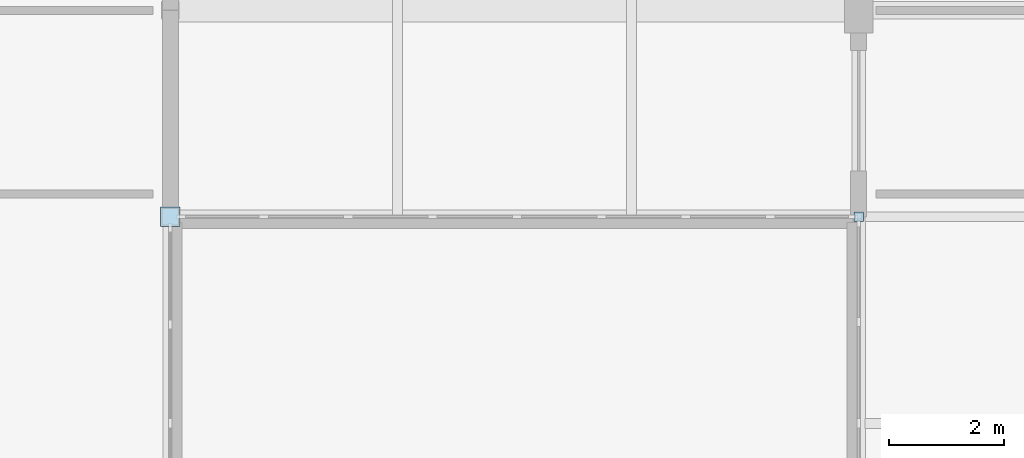
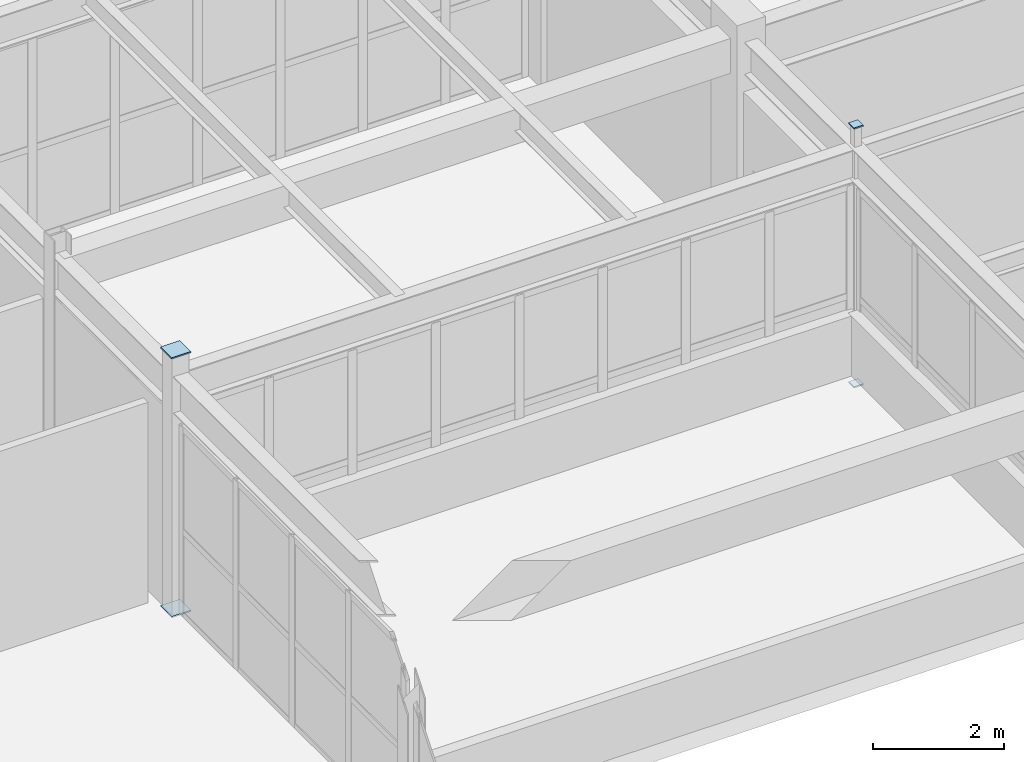
# One storey, part 179 of 226: 4 plates.
"""IFC4 building model written with IfcOpenShell, lengths in metres."""

from ifc_helpers import new_model, si_unit, direction, frame, origin, origin_2d, place, context, subcontext, project, spatial, rectangle, extrude, material, layer, layer_set, type_object, element, save


model = new_model("IFC4")

# Units and contexts
model_context = context("Model", 3, precision=1e-05, world=origin(), true_north=direction((0.0, 1.0)))
body_context = subcontext(model_context, "Body", "Model", "MODEL_VIEW")
ifc_project = project(units=[si_unit("LENGTHUNIT", "METRE"), si_unit("AREAUNIT", "SQUARE_METRE"), si_unit("VOLUMEUNIT", "CUBIC_METRE"), si_unit("PLANEANGLEUNIT", "RADIAN"), si_unit("MASSUNIT", "GRAM", prefix="KILO")], contexts=[model_context])

# Site, building, storey
site_placement = place(None, origin())
site = spatial("IfcSite", under=ifc_project, at=site_placement, CompositionType="ELEMENT")
building_placement = place(site_placement, origin())
building = spatial("IfcBuilding", under=site, at=building_placement, Name="Tarnwether General Hospital", CompositionType="ELEMENT")
storey_placement = place(building_placement, frame((0.0, 0.0, 4.800048828125)))
storey = spatial("IfcBuildingStorey", under=building, at=storey_placement, Name="L01", CompositionType="ELEMENT", Elevation=4.800048828125)

# Plates
ifc_material = material(Name="Steel Grade 350 (350 MPa)", Category="steel")
ifc_layer = layer(ifc_material, 0.02490234375)
ifc_layer_set = layer_set([ifc_layer], Name="Steel Grade 350 (350 MPa)")
plate_type = type_object("IfcPlateType", Name="PT-GUS2", PredefinedType="USERDEFINED", material=ifc_layer_set)
for number, where, z_axis, x_axis, name in (
    (1, (132.0, 18.0, -0.02490234375), (0.0, 0.0, 1.0), (1.0, 0.0, 0.0), "Hollow Section Welded End Cap Plate 0751"),
    (2, (132.0, 18.0, 4.800048828125), (0.0, 0.0, 1.0), (1.0, 0.0, 0.0), "Hollow Section Welded End Cap Plate 0752"),
):
    element("IfcPlate", number, at=place(storey_placement, frame(where, z_axis=z_axis, x_axis=x_axis)), inside=storey, type_object=plate_type, Name=name, ObjectType="GUSSET", PredefinedType="USERDEFINED", context=body_context, shape_type="SweptSolid", body=[
        extrude(rectangle(XDim=0.340087890625, YDim=0.340087890625, at=origin_2d()), origin(), (0.0, 0.0, 1.0), 0.02490234375),
    ])
for number, where, z_axis, x_axis, name in (
    (3, (144.0, 18.0, -0.02490234375), (0.0, 0.0, 1.0), (1.0, 0.0, 0.0), "Hollow Section Welded End Cap Plate 0767"),
    (4, (144.0, 18.0, 4.800048828125), (0.0, 0.0, 1.0), (1.0, 0.0, 0.0), "Hollow Section Welded End Cap Plate 0768"),
):
    element("IfcPlate", number, at=place(storey_placement, frame(where, z_axis=z_axis, x_axis=x_axis)), inside=storey, type_object=plate_type, Name=name, ObjectType="GUSSET", PredefinedType="USERDEFINED", context=body_context, shape_type="SweptSolid", body=[
        extrude(rectangle(XDim=0.1650390625, YDim=0.1650390625, at=origin_2d()), origin(), (0.0, 0.0, 1.0), 0.02490234375),
    ])

save(model, "model.ifc")
